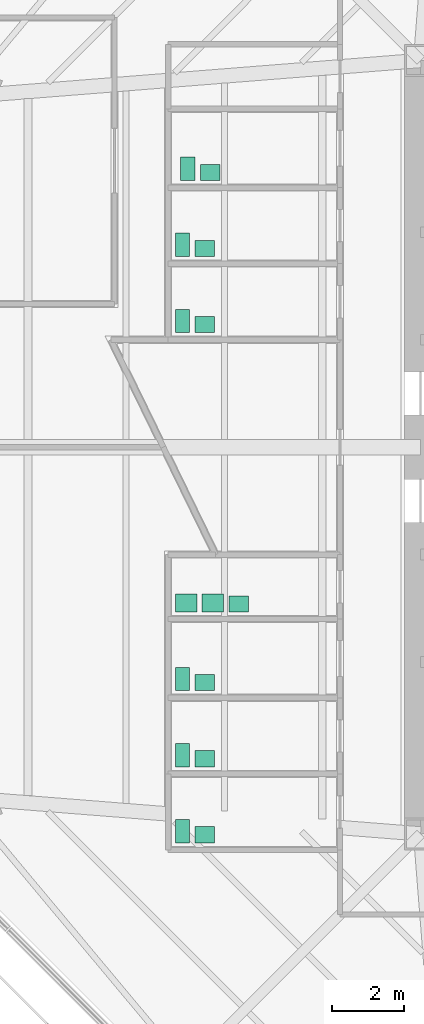
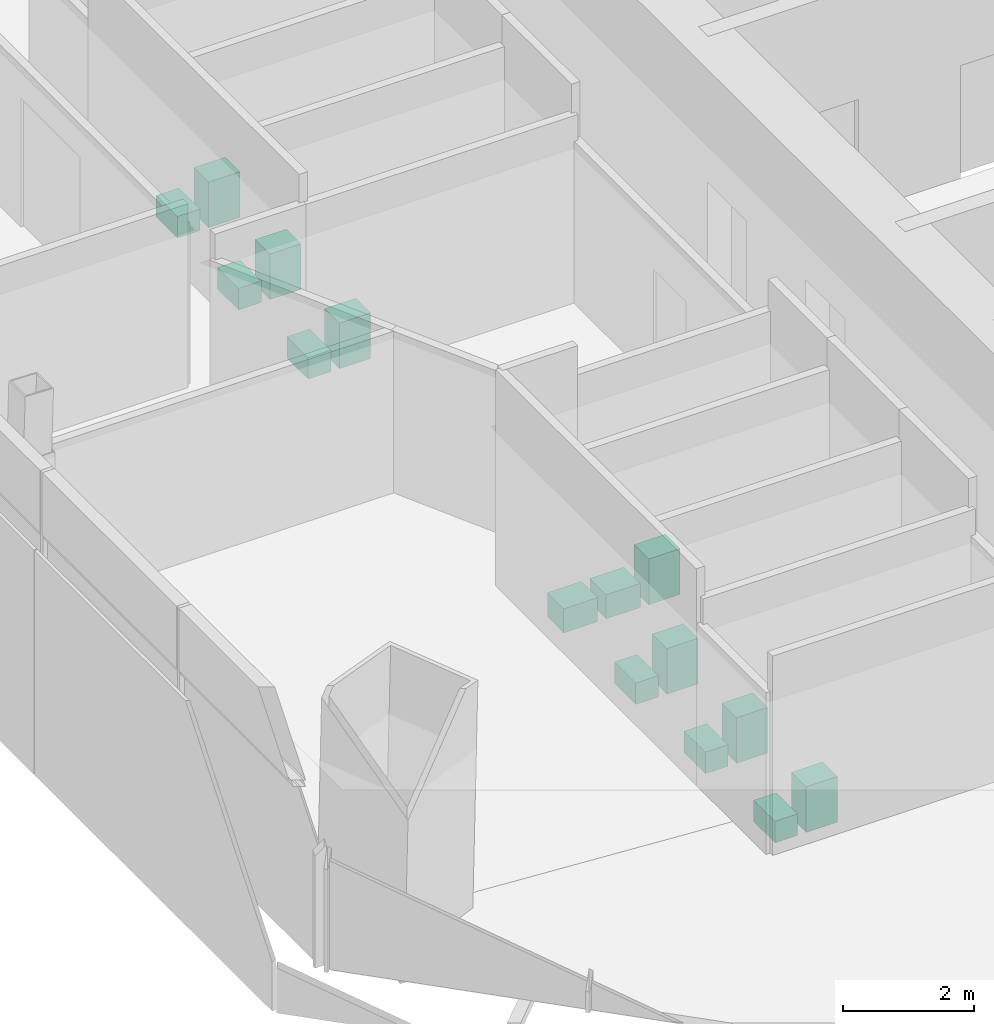
# One storey, part 16 of 16: 15 sanitary terminals.
"""IFC4 building model written with IfcOpenShell, lengths in metres."""

from ifc_helpers import new_model, si_unit, direction, frame, origin, origin_2d, place, context, subcontext, project, spatial, rectangle, extrude, material, type_object, element, save


model = new_model("IFC4")

# Units and contexts
model_context = context("Model", 3, precision=1e-05, world=origin(), true_north=direction((0.0, 1.0)))
body_context = subcontext(model_context, "Body", "Model", "MODEL_VIEW")
ifc_project = project(units=[si_unit("LENGTHUNIT", "METRE"), si_unit("AREAUNIT", "SQUARE_METRE"), si_unit("VOLUMEUNIT", "CUBIC_METRE"), si_unit("PLANEANGLEUNIT", "RADIAN"), si_unit("MASSUNIT", "GRAM", prefix="KILO")], contexts=[model_context])

# Site, building, storey
site_placement = place(None, origin())
site = spatial("IfcSite", under=ifc_project, at=site_placement, CompositionType="ELEMENT")
building_placement = place(site_placement, origin())
building = spatial("IfcBuilding", under=site, at=building_placement, Name="Mashrafa Tower", CompositionType="ELEMENT")
storey_placement = place(building_placement, frame((0.0, 0.0, 96.0)))
storey = spatial("IfcBuildingStorey", under=building, at=storey_placement, Name="L21", CompositionType="ELEMENT", Elevation=96.0)

# Sanitary terminals
ifc_material_1 = material(Name="Stainless steel", Category="steel")
sanitary_terminal_type_1 = type_object("IfcSanitaryTerminalType", Name="Ablution wash station 600 x 500", PredefinedType="WASHHANDBASIN", material=ifc_material_1)
for number, where, z_axis, x_axis, name in (
    (1, (-17.35009765625, -4.35009765625, 0.0), (0.0, 0.0, 1.0), (1.0, 0.0, 0.0), "Ablution wash station Ablution Room L21 S"),
    (2, (-16.60009765625, -4.35009765625, 0.0), (0.0, 0.0, 1.0), (1.0, 0.0, 0.0), "Ablution wash station Ablution Room L21 S"),
):
    element("IfcSanitaryTerminal", number, at=place(storey_placement, frame(where, z_axis=z_axis, x_axis=x_axis)), inside=storey, type_object=sanitary_terminal_type_1, Name=name, PredefinedType="WASHHANDBASIN", context=body_context, shape_type="SweptSolid", body=[
        extrude(rectangle(XDim=0.60009765625, YDim=0.5, at=origin_2d()), origin(), (0.0, 0.0, 1.0), 0.449951171875),
    ])
ifc_material_2 = material(Name="Vitreous china")
sanitary_terminal_type_2 = type_object("IfcSanitaryTerminalType", Name="Toilet pan 400 x 650", PredefinedType="TOILETPAN", material=ifc_material_2)
for number, where, z_axis, x_axis, name in (
    (3, (-17.449951171875, 3.52490234375, 0.0), (0.0, 0.0, 1.0), (1.0, 0.0, 0.0), "Toilet pan WC Female L21 N"),
    (4, (-17.449951171875, 5.64990234375, 0.0), (0.0, 0.0, 1.0), (1.0, 0.0, 0.0), "Toilet pan WC Male L21 N"),
    (5, (-17.300048828125, 7.77490234375, 0.0), (0.0, 0.0, 1.0), (1.0, 0.0, 0.0), "Toilet pan Accessible WC L21 N"),
    (6, (-17.449951171875, -10.72509765625, 0.0), (0.0, 0.0, 1.0), (1.0, 0.0, 0.0), "Toilet pan WC Female L21 S"),
    (7, (-17.449951171875, -8.60009765625, 0.0), (0.0, 0.0, 1.0), (1.0, 0.0, 0.0), "Toilet pan WC Male L21 S"),
    (8, (-17.449951171875, -6.47509765625, 0.0), (0.0, 0.0, 1.0), (1.0, 0.0, 0.0), "Toilet pan Accessible WC L21 S"),
):
    element("IfcSanitaryTerminal", number, at=place(storey_placement, frame(where, z_axis=z_axis, x_axis=x_axis)), inside=storey, type_object=sanitary_terminal_type_2, Name=name, PredefinedType="TOILETPAN", context=body_context, shape_type="SweptSolid", body=[
        extrude(rectangle(XDim=0.39990234375, YDim=0.64990234375, at=origin_2d()), origin(), (0.0, 0.0, 1.0), 0.39990234375),
    ])
ifc_material_3 = material(Name="Vitreous china")
sanitary_terminal_type_3 = type_object("IfcSanitaryTerminalType", Name="Wash basin 550 x 450", PredefinedType="WASHHANDBASIN", material=ifc_material_3)
for number, where, z_axis, x_axis, name in (
    (9, (-16.824951171875, 3.425048828125, 0.0), (0.0, 0.0, 1.0), (1.0, 0.0, 0.0), "Wash basin WC Female L21 N"),
    (10, (-16.824951171875, 5.550048828125, 0.0), (0.0, 0.0, 1.0), (1.0, 0.0, 0.0), "Wash basin WC Male L21 N"),
    (11, (-16.675048828125, 7.675048828125, 0.0), (0.0, 0.0, 1.0), (1.0, 0.0, 0.0), "Wash basin Accessible WC L21 N"),
    (12, (-16.824951171875, -10.824951171875, 0.0), (0.0, 0.0, 1.0), (1.0, 0.0, 0.0), "Wash basin WC Female L21 S"),
    (13, (-16.824951171875, -8.699951171875, 0.0), (0.0, 0.0, 1.0), (1.0, 0.0, 0.0), "Wash basin WC Male L21 S"),
    (14, (-16.824951171875, -6.574951171875, 0.0), (0.0, 0.0, 1.0), (1.0, 0.0, 0.0), "Wash basin Accessible WC L21 S"),
    (15, (-15.875, -4.375, 0.0), (0.0, 0.0, 1.0), (1.0, 0.0, 0.0), "Wash basin Ablution Room L21 S"),
):
    element("IfcSanitaryTerminal", number, at=place(storey_placement, frame(where, z_axis=z_axis, x_axis=x_axis)), inside=storey, type_object=sanitary_terminal_type_3, Name=name, PredefinedType="WASHHANDBASIN", context=body_context, shape_type="SweptSolid", body=[
        extrude(rectangle(XDim=0.550048828125, YDim=0.449951171875, at=origin_2d()), origin(), (0.0, 0.0, 1.0), 0.85009765625),
    ])

save(model, "model.ifc")
